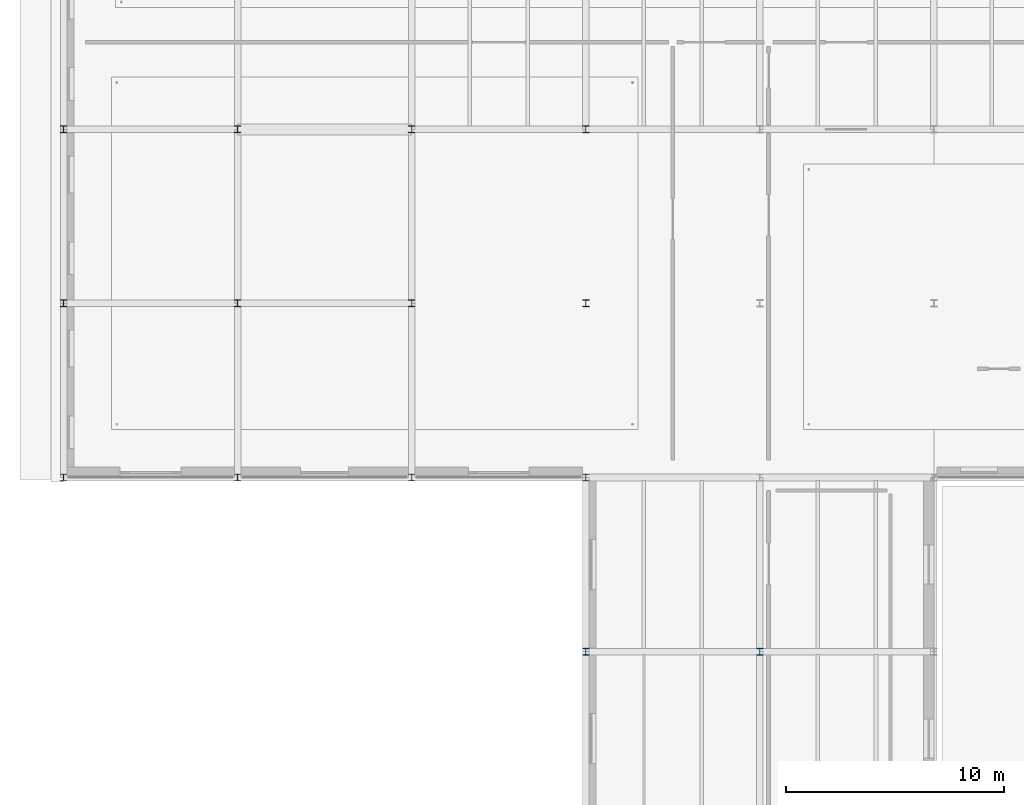
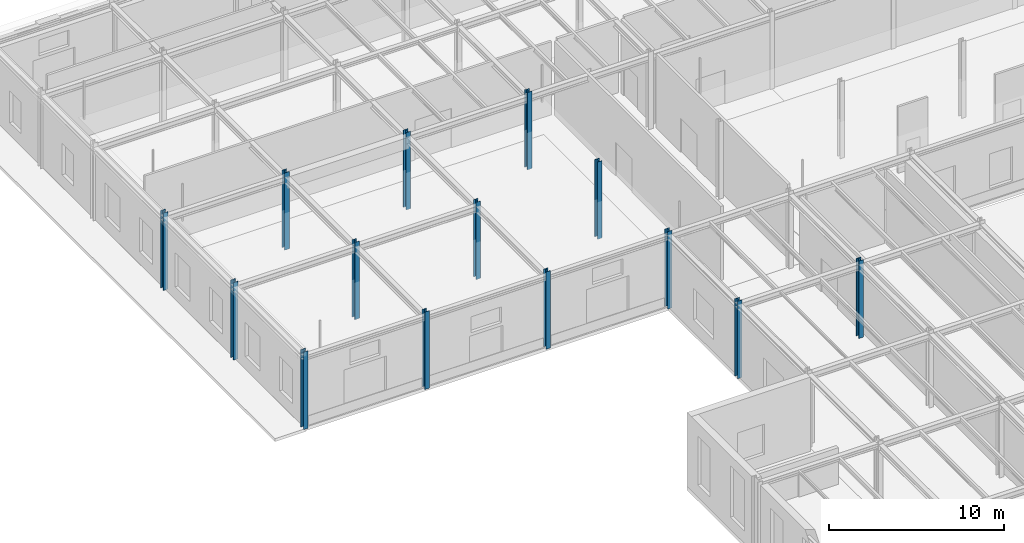
# One storey, part 10 of 129: 14 columns.
"""IFC4 building model written with IfcOpenShell, lengths in metres."""

from ifc_helpers import new_model, si_unit, direction, frame, origin, origin_2d, place, context, subcontext, project, spatial, i_section, extrude, material, material_profile, profile_set, type_object, element, save


model = new_model("IFC4")

# Units and contexts
model_context = context("Model", 3, precision=1e-05, world=origin(), true_north=direction((0.0, 1.0)))
body_context = subcontext(model_context, "Body", "Model", "MODEL_VIEW")
ifc_project = project(units=[si_unit("LENGTHUNIT", "METRE"), si_unit("AREAUNIT", "SQUARE_METRE"), si_unit("VOLUMEUNIT", "CUBIC_METRE"), si_unit("PLANEANGLEUNIT", "RADIAN"), si_unit("MASSUNIT", "GRAM", prefix="KILO")], contexts=[model_context])

# Site, building, storey
site_placement = place(None, origin())
site = spatial("IfcSite", under=ifc_project, at=site_placement, CompositionType="ELEMENT")
building_placement = place(site_placement, origin())
building = spatial("IfcBuilding", under=site, at=building_placement, Name="Sundkrona Museum", CompositionType="ELEMENT")
storey_placement = place(building_placement, origin())
storey = spatial("IfcBuildingStorey", under=building, at=storey_placement, Name="L00", CompositionType="ELEMENT", Elevation=0.0)

# Columns
ifc_material = material(Name="Steel S355J2", Category="steel")
ifc_material_profile = material_profile(ifc_material, i_section(OverallWidth=0.300048828125, OverallDepth=0.320068359375, WebThickness=0.011474609375, FlangeThickness=0.0205078125, FilletRadius=0.027099609375, at=origin_2d()), Name="HEB 320")
ifc_profile_set = profile_set([ifc_material_profile], Name="Steel S355J2")
column_type = type_object("IfcColumnType", Name="C-HEB320", PredefinedType="COLUMN", material=ifc_profile_set)
for number, where, z_axis, x_axis, name in (
    (1, (0.0, 78.0, 0.0), (0.0, 0.0, 1.0), (1.0, 0.0, 0.0), "L00 Column L/1"),
    (2, (0.0, 86.0, 0.0), (0.0, 0.0, 1.0), (1.0, 0.0, 0.0), "L00 Column M/1"),
    (3, (0.0, 94.0, 0.0), (0.0, 0.0, 1.0), (1.0, 0.0, 0.0), "L00 Column N/1"),
    (4, (8.0, 78.0, 0.0), (0.0, 0.0, 1.0), (1.0, 0.0, 0.0), "L00 Column L/2"),
    (5, (8.0, 86.0, 0.0), (0.0, 0.0, 1.0), (1.0, 0.0, 0.0), "L00 Column M/2"),
    (6, (8.0, 94.0, 0.0), (0.0, 0.0, 1.0), (1.0, 0.0, 0.0), "L00 Column N/2"),
    (7, (16.0, 78.0, 0.0), (0.0, 0.0, 1.0), (1.0, 0.0, 0.0), "L00 Column L/3"),
    (8, (16.0, 86.0, 0.0), (0.0, 0.0, 1.0), (1.0, 0.0, 0.0), "L00 Column M/3"),
    (9, (16.0, 94.0, 0.0), (0.0, 0.0, 1.0), (1.0, 0.0, 0.0), "L00 Column N/3"),
    (10, (24.0, 70.0, 0.0), (0.0, 0.0, 1.0), (1.0, 0.0, 0.0), "L00 Column K/4"),
    (11, (24.0, 78.0, 0.0), (0.0, 0.0, 1.0), (1.0, 0.0, 0.0), "L00 Column L/4"),
    (12, (24.0, 86.0, 0.0), (0.0, 0.0, 1.0), (1.0, 0.0, 0.0), "L00 Column M/4"),
    (13, (24.0, 94.0, 0.0), (0.0, 0.0, 1.0), (1.0, 0.0, 0.0), "L00 Column N/4"),
    (14, (32.0, 70.0, 0.0), (0.0, 0.0, 1.0), (1.0, 0.0, 0.0), "L00 Column K/5"),
):
    element("IfcColumn", number, at=place(storey_placement, frame(where, z_axis=z_axis, x_axis=x_axis)), inside=storey, type_object=column_type, Name=name, PredefinedType="COLUMN", context=body_context, shape_type="SweptSolid", body=[
        extrude(i_section(OverallWidth=0.300048828125, OverallDepth=0.320068359375, WebThickness=0.011474609375, FlangeThickness=0.0205078125, FilletRadius=0.027099609375, at=origin_2d()), origin(), (0.0, 0.0, 1.0), 5.39990234375),
    ])

save(model, "model.ifc")
